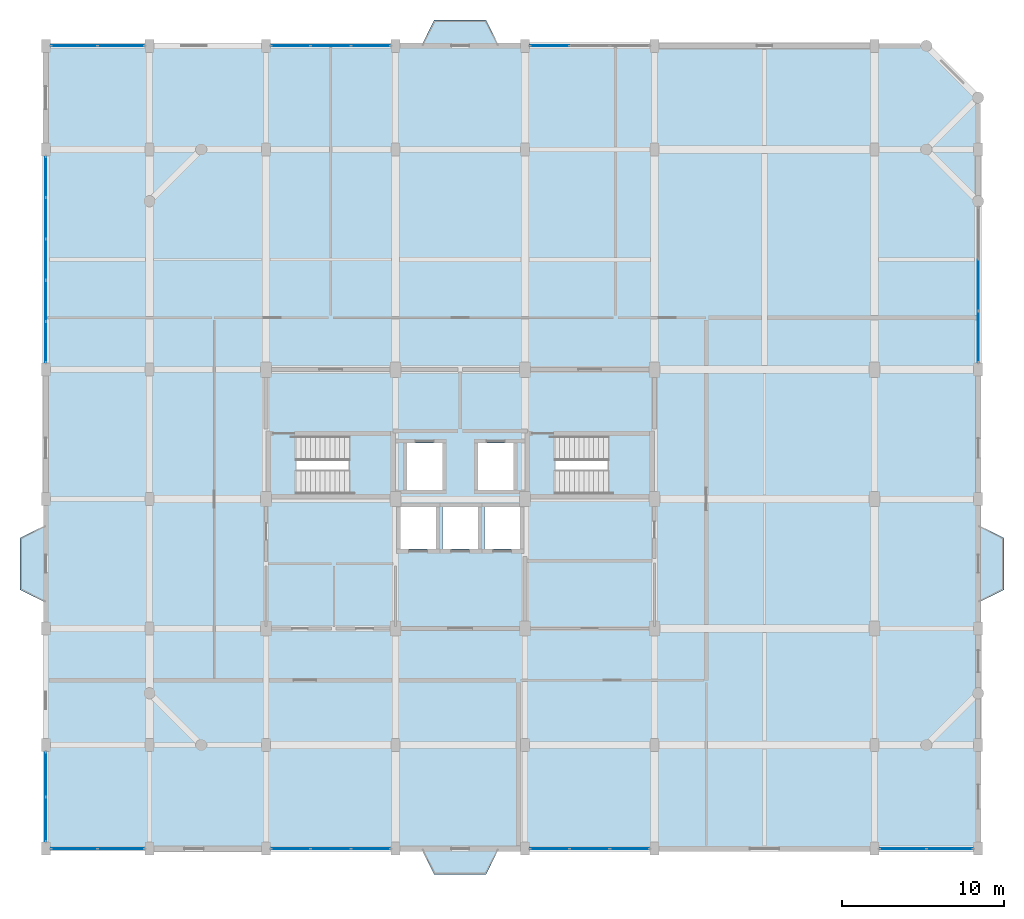
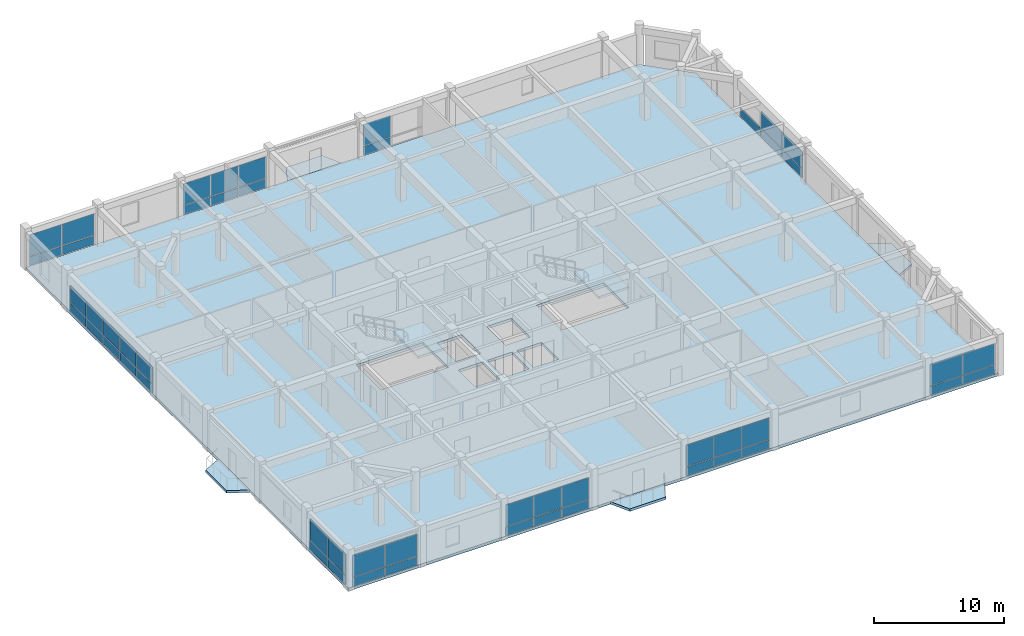
# One storey, part 10 of 15: 51 plates, 7 slabs, 12 elements without a shape of their own.
"""IFC4 building model written with IfcOpenShell, lengths in metres."""

from ifc_helpers import new_model, si_unit, direction, frame, origin, origin_2d, place, context, subcontext, project, spatial, polyline, rectangle, outline, extrude, material, layer, layer_set, type_object, element, aggregate, save


model = new_model("IFC4")

# Units and contexts
model_context = context("Model", 3, precision=1e-05, world=origin(), true_north=direction((0.0, 1.0)))
body_context = subcontext(model_context, "Body", "Model", "MODEL_VIEW")
ifc_project = project(units=[si_unit("LENGTHUNIT", "METRE"), si_unit("AREAUNIT", "SQUARE_METRE"), si_unit("VOLUMEUNIT", "CUBIC_METRE"), si_unit("PLANEANGLEUNIT", "RADIAN"), si_unit("MASSUNIT", "GRAM", prefix="KILO")], contexts=[model_context])

# Site, building, storey
site_placement = place(None, origin())
site = spatial("IfcSite", under=ifc_project, at=site_placement, CompositionType="ELEMENT")
building_placement = place(site_placement, origin())
building = spatial("IfcBuilding", under=site, at=building_placement, Name="Vellmiral Cinema and Media Centre", CompositionType="ELEMENT")
storey_placement = place(building_placement, frame((0.0, 0.0, 35.60009765625)))
storey = spatial("IfcBuildingStorey", under=building, at=storey_placement, Name="L08", CompositionType="ELEMENT", Elevation=35.60009765625)

# Curtain wall, plates
ifc_material_1 = material(Name="Thermally Broken Aluminium and Triple Glazing", Category="aluminium")
curtain_wall_type_1 = type_object("IfcCurtainWallType", Name="CW-TOWER-LOW-S", PredefinedType="USERDEFINED", material=ifc_material_1)
curtain_wall_1_placement = place(storey_placement, origin())
curtain_wall_1 = element("IfcCurtainWall", 1, at=curtain_wall_1_placement, inside=storey, type_object=curtain_wall_type_1, Name="Curtain Wall L08-B001", ObjectType="UNITISED CURTAIN WALL", PredefinedType="USERDEFINED")
ifc_material_2 = material(Name="Solar-Control Acoustic Triple Glazing", Category="glass")
ifc_layer_1 = layer(ifc_material_2, 0.0419921875, Name="Solar-Control Acoustic Triple Glazing")
ifc_layer_set_1 = layer_set([ifc_layer_1], Name="Solar-Control Acoustic Triple Glazing")
plate_type_1 = type_object("IfcPlateType", Name="CWP-SOLAR-42", PredefinedType="CURTAIN_PANEL", material=ifc_layer_set_1)
plate_1_placement = place(storey_placement, frame((112.15380859375, 65.60009765625, 0.932373046875), z_axis=(0.0, 0.0, 1.0), x_axis=(1.0, 0.0, 0.0)))
plate_1 = element("IfcPlate", 2, at=plate_1_placement, type_object=plate_type_1, Name="CW-06 panel 1.2", PredefinedType="CURTAIN_PANEL", context=body_context, shape_type="SweptSolid", body=[
    extrude(rectangle(XDim=2.827392578125, YDim=0.0419921875, at=origin_2d()), origin(), (0.0, 0.0, 1.0), 2.00244140625),
])
plate_2_placement = place(storey_placement, frame((115.046142578125, 65.60009765625, 0.932373046875), z_axis=(0.0, 0.0, 1.0), x_axis=(1.0, 0.0, 0.0)))
plate_2 = element("IfcPlate", 3, at=plate_2_placement, type_object=plate_type_1, Name="CW-06 panel 2.2", PredefinedType="CURTAIN_PANEL", context=body_context, shape_type="SweptSolid", body=[
    extrude(rectangle(XDim=2.827392578125, YDim=0.0419921875, at=origin_2d()), origin(), (0.0, 0.0, 1.0), 2.00244140625),
])

curtain_wall_2_placement = place(storey_placement, origin())
curtain_wall_2 = element("IfcCurtainWall", 4, at=curtain_wall_2_placement, inside=storey, type_object=curtain_wall_type_1, Name="Curtain Wall L08-B003", ObjectType="UNITISED CURTAIN WALL", PredefinedType="USERDEFINED")
plate_3_placement = place(storey_placement, frame((125.532958984375, 65.60009765625, 0.932373046875), z_axis=(0.0, 0.0, 1.0), x_axis=(1.0, 0.0, 0.0)))
plate_3 = element("IfcPlate", 5, at=plate_3_placement, type_object=plate_type_1, Name="CW-06 panel 1.2", PredefinedType="CURTAIN_PANEL", context=body_context, shape_type="SweptSolid", body=[
    extrude(rectangle(XDim=2.3857421875, YDim=0.0419921875, at=origin_2d()), origin(), (0.0, 0.0, 1.0), 2.00244140625),
])
plate_4_placement = place(storey_placement, frame((128.0, 65.60009765625, 0.932373046875), z_axis=(0.0, 0.0, 1.0), x_axis=(1.0, 0.0, 0.0)))
plate_4 = element("IfcPlate", 6, at=plate_4_placement, type_object=plate_type_1, Name="CW-06 panel 2.2", PredefinedType="CURTAIN_PANEL", context=body_context, shape_type="SweptSolid", body=[
    extrude(rectangle(XDim=2.418212890625, YDim=0.0419921875, at=origin_2d()), origin(), (0.0, 0.0, 1.0), 2.00244140625),
])
plate_5_placement = place(storey_placement, frame((130.467041015625, 65.60009765625, 0.932373046875), z_axis=(0.0, 0.0, 1.0), x_axis=(1.0, 0.0, 0.0)))
plate_5 = element("IfcPlate", 7, at=plate_5_placement, type_object=plate_type_1, Name="CW-06 panel 3.2", PredefinedType="CURTAIN_PANEL", context=body_context, shape_type="SweptSolid", body=[
    extrude(rectangle(XDim=2.3857421875, YDim=0.0419921875, at=origin_2d()), origin(), (0.0, 0.0, 1.0), 2.00244140625),
])

curtain_wall_3_placement = place(storey_placement, origin())
curtain_wall_3 = element("IfcCurtainWall", 8, at=curtain_wall_3_placement, inside=storey, type_object=curtain_wall_type_1, Name="Curtain Wall L08-B005", ObjectType="UNITISED CURTAIN WALL", PredefinedType="USERDEFINED")
plate_6_placement = place(storey_placement, frame((141.532958984375, 65.60009765625, 0.932373046875), z_axis=(0.0, 0.0, 1.0), x_axis=(1.0, 0.0, 0.0)))
plate_6 = element("IfcPlate", 9, at=plate_6_placement, type_object=plate_type_1, Name="CW-06 panel 1.2", PredefinedType="CURTAIN_PANEL", context=body_context, shape_type="SweptSolid", body=[
    extrude(rectangle(XDim=2.3857421875, YDim=0.0419921875, at=origin_2d()), origin(), (0.0, 0.0, 1.0), 2.00244140625),
])
plate_7_placement = place(storey_placement, frame((144.0, 65.60009765625, 0.932373046875), z_axis=(0.0, 0.0, 1.0), x_axis=(1.0, 0.0, 0.0)))
plate_7 = element("IfcPlate", 10, at=plate_7_placement, type_object=plate_type_1, Name="CW-06 panel 2.2", PredefinedType="CURTAIN_PANEL", context=body_context, shape_type="SweptSolid", body=[
    extrude(rectangle(XDim=2.418212890625, YDim=0.0419921875, at=origin_2d()), origin(), (0.0, 0.0, 1.0), 2.00244140625),
])
plate_8_placement = place(storey_placement, frame((146.467041015625, 65.60009765625, 0.932373046875), z_axis=(0.0, 0.0, 1.0), x_axis=(1.0, 0.0, 0.0)))
plate_8 = element("IfcPlate", 11, at=plate_8_placement, type_object=plate_type_1, Name="CW-06 panel 3.2", PredefinedType="CURTAIN_PANEL", context=body_context, shape_type="SweptSolid", body=[
    extrude(rectangle(XDim=2.3857421875, YDim=0.0419921875, at=origin_2d()), origin(), (0.0, 0.0, 1.0), 2.00244140625),
])

curtain_wall_4_placement = place(storey_placement, origin())
curtain_wall_4 = element("IfcCurtainWall", 12, at=curtain_wall_4_placement, inside=storey, type_object=curtain_wall_type_1, Name="Curtain Wall L08-B007", ObjectType="UNITISED CURTAIN WALL", PredefinedType="USERDEFINED")
plate_9_placement = place(storey_placement, frame((163.353759765625, 65.60009765625, 0.9326171875), z_axis=(0.0, 0.0, 1.0), x_axis=(1.0, 0.0, 0.0)))
plate_9 = element("IfcPlate", 13, at=plate_9_placement, type_object=plate_type_1, Name="CW-06 panel 1.2", PredefinedType="CURTAIN_PANEL", context=body_context, shape_type="SweptSolid", body=[
    extrude(rectangle(XDim=2.827392578125, YDim=0.0419921875, at=origin_2d()), origin(), (0.0, 0.0, 1.0), 1.987548828125),
])
plate_10_placement = place(storey_placement, frame((166.246337890625, 65.60009765625, 0.9326171875), z_axis=(0.0, 0.0, 1.0), x_axis=(1.0, 0.0, 0.0)))
plate_10 = element("IfcPlate", 14, at=plate_10_placement, type_object=plate_type_1, Name="CW-06 panel 2.2", PredefinedType="CURTAIN_PANEL", context=body_context, shape_type="SweptSolid", body=[
    extrude(rectangle(XDim=2.827392578125, YDim=0.0419921875, at=origin_2d()), origin(), (0.0, 0.0, 1.0), 1.987548828125),
])

curtain_wall_5_placement = place(storey_placement, origin())
curtain_wall_5 = element("IfcCurtainWall", 15, at=curtain_wall_5_placement, inside=storey, type_object=curtain_wall_type_1, Name="Curtain Wall L08-B013", ObjectType="UNITISED CURTAIN WALL", PredefinedType="USERDEFINED")
plate_11_placement = place(storey_placement, frame((168.0, 97.224609375, 0.932373046875), z_axis=(0.0, 0.0, 1.0), x_axis=(0.0, 1.0, 0.0)))
plate_11 = element("IfcPlate", 16, at=plate_11_placement, type_object=plate_type_1, Name="CW-06 panel 1.2", PredefinedType="CURTAIN_PANEL", context=body_context, shape_type="SweptSolid", body=[
    extrude(rectangle(XDim=3.119140625, YDim=0.0419921875, at=origin_2d()), origin(), (0.0, 0.0, 1.0), 1.58740234375),
])
plate_12_placement = place(storey_placement, frame((168.0, 100.425048828125, 0.932373046875), z_axis=(0.0, 0.0, 1.0), x_axis=(0.0, 1.0, 0.0)))
plate_12 = element("IfcPlate", 17, at=plate_12_placement, type_object=plate_type_1, Name="CW-06 panel 2.2", PredefinedType="CURTAIN_PANEL", context=body_context, shape_type="SweptSolid", body=[
    extrude(rectangle(XDim=3.151611328125, YDim=0.0419921875, at=origin_2d()), origin(), (0.0, 0.0, 1.0), 1.58740234375),
])

# Curtain wall, plate
curtain_wall_6_placement = place(storey_placement, origin())
curtain_wall_6 = element("IfcCurtainWall", 18, at=curtain_wall_6_placement, inside=storey, type_object=curtain_wall_type_1, Name="Curtain Wall L08-B019", ObjectType="UNITISED CURTAIN WALL", PredefinedType="USERDEFINED")
plate_13_placement = place(storey_placement, frame((141.532958984375, 115.199951171875, 0.9326171875), z_axis=(0.0, 0.0, 1.0), x_axis=(-1.0, 0.0, 0.0)))
plate_13 = element("IfcPlate", 19, at=plate_13_placement, type_object=plate_type_1, Name="CW-06 panel 3.2", PredefinedType="CURTAIN_PANEL", context=body_context, shape_type="SweptSolid", body=[
    extrude(rectangle(XDim=2.3857421875, YDim=0.0419921875, at=origin_2d()), origin(), (0.0, 0.0, 1.0), 1.987548828125),
])

# Curtain wall, plates
curtain_wall_7_placement = place(storey_placement, origin())
curtain_wall_7 = element("IfcCurtainWall", 20, at=curtain_wall_7_placement, inside=storey, type_object=curtain_wall_type_1, Name="Curtain Wall L08-B021", ObjectType="UNITISED CURTAIN WALL", PredefinedType="USERDEFINED")
plate_14_placement = place(storey_placement, frame((130.467041015625, 115.199951171875, 0.932373046875), z_axis=(0.0, 0.0, 1.0), x_axis=(-1.0, 0.0, 0.0)))
plate_14 = element("IfcPlate", 21, at=plate_14_placement, type_object=plate_type_1, Name="CW-06 panel 1.2", PredefinedType="CURTAIN_PANEL", context=body_context, shape_type="SweptSolid", body=[
    extrude(rectangle(XDim=2.3857421875, YDim=0.0419921875, at=origin_2d()), origin(), (0.0, 0.0, 1.0), 2.00244140625),
])
plate_15_placement = place(storey_placement, frame((128.0, 115.199951171875, 0.932373046875), z_axis=(0.0, 0.0, 1.0), x_axis=(-1.0, 0.0, 0.0)))
plate_15 = element("IfcPlate", 22, at=plate_15_placement, type_object=plate_type_1, Name="CW-06 panel 2.2", PredefinedType="CURTAIN_PANEL", context=body_context, shape_type="SweptSolid", body=[
    extrude(rectangle(XDim=2.418212890625, YDim=0.0419921875, at=origin_2d()), origin(), (0.0, 0.0, 1.0), 2.00244140625),
])
plate_16_placement = place(storey_placement, frame((125.532958984375, 115.199951171875, 0.932373046875), z_axis=(0.0, 0.0, 1.0), x_axis=(-1.0, 0.0, 0.0)))
plate_16 = element("IfcPlate", 23, at=plate_16_placement, type_object=plate_type_1, Name="CW-06 panel 3.2", PredefinedType="CURTAIN_PANEL", context=body_context, shape_type="SweptSolid", body=[
    extrude(rectangle(XDim=2.3857421875, YDim=0.0419921875, at=origin_2d()), origin(), (0.0, 0.0, 1.0), 2.00244140625),
])

curtain_wall_8_placement = place(storey_placement, origin())
curtain_wall_8 = element("IfcCurtainWall", 24, at=curtain_wall_8_placement, inside=storey, type_object=curtain_wall_type_1, Name="Curtain Wall L08-B023", ObjectType="UNITISED CURTAIN WALL", PredefinedType="USERDEFINED")
plate_17_placement = place(storey_placement, frame((115.046142578125, 115.199951171875, 0.932373046875), z_axis=(0.0, 0.0, 1.0), x_axis=(-1.0, 0.0, 0.0)))
plate_17 = element("IfcPlate", 25, at=plate_17_placement, type_object=plate_type_1, Name="CW-06 panel 1.2", PredefinedType="CURTAIN_PANEL", context=body_context, shape_type="SweptSolid", body=[
    extrude(rectangle(XDim=2.827392578125, YDim=0.0419921875, at=origin_2d()), origin(), (0.0, 0.0, 1.0), 2.00244140625),
])
plate_18_placement = place(storey_placement, frame((112.15380859375, 115.199951171875, 0.932373046875), z_axis=(0.0, 0.0, 1.0), x_axis=(-1.0, 0.0, 0.0)))
plate_18 = element("IfcPlate", 26, at=plate_18_placement, type_object=plate_type_1, Name="CW-06 panel 2.2", PredefinedType="CURTAIN_PANEL", context=body_context, shape_type="SweptSolid", body=[
    extrude(rectangle(XDim=2.827392578125, YDim=0.0419921875, at=origin_2d()), origin(), (0.0, 0.0, 1.0), 2.00244140625),
])

# Plate
ifc_material_3 = material(Name="Polychrome Trencadis Ceramic Spandrel Panel", Category="ceramic")
ifc_layer_2 = layer(ifc_material_3, 0.052001953125, Name="Polychrome Trencadis Ceramic Spandrel Panel")
ifc_layer_set_2 = layer_set([ifc_layer_2], Name="Polychrome Trencadis Ceramic Spandrel Panel")
plate_type_2 = type_object("IfcPlateType", Name="CWP-TRENC-52", PredefinedType="CURTAIN_PANEL", material=ifc_layer_set_2)
plate_19_placement = place(storey_placement, frame((112.15380859375, 65.60009765625, 0.06494140625), z_axis=(0.0, 0.0, 1.0), x_axis=(1.0, 0.0, 0.0)))
plate_19 = element("IfcPlate", 27, at=plate_19_placement, type_object=plate_type_2, Name="CW-06 panel 1.1", PredefinedType="CURTAIN_PANEL", context=body_context, shape_type="SweptSolid", body=[
    extrude(rectangle(XDim=2.827392578125, YDim=0.052001953125, at=origin_2d()), origin(), (0.0, 0.0, 1.0), 0.802490234375),
])

plate_20_placement = place(storey_placement, frame((115.046142578125, 65.60009765625, 0.06494140625), z_axis=(0.0, 0.0, 1.0), x_axis=(1.0, 0.0, 0.0)))
plate_20 = element("IfcPlate", 28, at=plate_20_placement, type_object=plate_type_2, Name="CW-06 panel 2.1", PredefinedType="CURTAIN_PANEL", context=body_context, shape_type="SweptSolid", body=[
    extrude(rectangle(XDim=2.827392578125, YDim=0.052001953125, at=origin_2d()), origin(), (0.0, 0.0, 1.0), 0.802490234375),
])

aggregate(curtain_wall_1, [plate_19, plate_1, plate_20, plate_2])

plate_21_placement = place(storey_placement, frame((125.532958984375, 65.60009765625, 0.06494140625), z_axis=(0.0, 0.0, 1.0), x_axis=(1.0, 0.0, 0.0)))
plate_21 = element("IfcPlate", 29, at=plate_21_placement, type_object=plate_type_2, Name="CW-06 panel 1.1", PredefinedType="CURTAIN_PANEL", context=body_context, shape_type="SweptSolid", body=[
    extrude(rectangle(XDim=2.3857421875, YDim=0.052001953125, at=origin_2d()), origin(), (0.0, 0.0, 1.0), 0.802490234375),
])

plate_22_placement = place(storey_placement, frame((128.0, 65.60009765625, 0.06494140625), z_axis=(0.0, 0.0, 1.0), x_axis=(1.0, 0.0, 0.0)))
plate_22 = element("IfcPlate", 30, at=plate_22_placement, type_object=plate_type_2, Name="CW-06 panel 2.1", PredefinedType="CURTAIN_PANEL", context=body_context, shape_type="SweptSolid", body=[
    extrude(rectangle(XDim=2.418212890625, YDim=0.052001953125, at=origin_2d()), origin(), (0.0, 0.0, 1.0), 0.802490234375),
])

plate_23_placement = place(storey_placement, frame((130.467041015625, 65.60009765625, 0.06494140625), z_axis=(0.0, 0.0, 1.0), x_axis=(1.0, 0.0, 0.0)))
plate_23 = element("IfcPlate", 31, at=plate_23_placement, type_object=plate_type_2, Name="CW-06 panel 3.1", PredefinedType="CURTAIN_PANEL", context=body_context, shape_type="SweptSolid", body=[
    extrude(rectangle(XDim=2.3857421875, YDim=0.052001953125, at=origin_2d()), origin(), (0.0, 0.0, 1.0), 0.802490234375),
])

aggregate(curtain_wall_2, [plate_21, plate_3, plate_22, plate_4, plate_23, plate_5])

plate_24_placement = place(storey_placement, frame((141.532958984375, 65.60009765625, 0.06494140625), z_axis=(0.0, 0.0, 1.0), x_axis=(1.0, 0.0, 0.0)))
plate_24 = element("IfcPlate", 32, at=plate_24_placement, type_object=plate_type_2, Name="CW-06 panel 1.1", PredefinedType="CURTAIN_PANEL", context=body_context, shape_type="SweptSolid", body=[
    extrude(rectangle(XDim=2.3857421875, YDim=0.052001953125, at=origin_2d()), origin(), (0.0, 0.0, 1.0), 0.802490234375),
])

plate_25_placement = place(storey_placement, frame((144.0, 65.60009765625, 0.06494140625), z_axis=(0.0, 0.0, 1.0), x_axis=(1.0, 0.0, 0.0)))
plate_25 = element("IfcPlate", 33, at=plate_25_placement, type_object=plate_type_2, Name="CW-06 panel 2.1", PredefinedType="CURTAIN_PANEL", context=body_context, shape_type="SweptSolid", body=[
    extrude(rectangle(XDim=2.418212890625, YDim=0.052001953125, at=origin_2d()), origin(), (0.0, 0.0, 1.0), 0.802490234375),
])

plate_26_placement = place(storey_placement, frame((146.467041015625, 65.60009765625, 0.06494140625), z_axis=(0.0, 0.0, 1.0), x_axis=(1.0, 0.0, 0.0)))
plate_26 = element("IfcPlate", 34, at=plate_26_placement, type_object=plate_type_2, Name="CW-06 panel 3.1", PredefinedType="CURTAIN_PANEL", context=body_context, shape_type="SweptSolid", body=[
    extrude(rectangle(XDim=2.3857421875, YDim=0.052001953125, at=origin_2d()), origin(), (0.0, 0.0, 1.0), 0.802490234375),
])

aggregate(curtain_wall_3, [plate_24, plate_6, plate_25, plate_7, plate_26, plate_8])

plate_27_placement = place(storey_placement, frame((163.353759765625, 65.60009765625, 0.06494140625), z_axis=(0.0, 0.0, 1.0), x_axis=(1.0, 0.0, 0.0)))
plate_27 = element("IfcPlate", 35, at=plate_27_placement, type_object=plate_type_2, Name="CW-06 panel 1.1", PredefinedType="CURTAIN_PANEL", context=body_context, shape_type="SweptSolid", body=[
    extrude(rectangle(XDim=2.827392578125, YDim=0.052001953125, at=origin_2d()), origin(), (0.0, 0.0, 1.0), 0.802490234375),
])

plate_28_placement = place(storey_placement, frame((166.246337890625, 65.60009765625, 0.06494140625), z_axis=(0.0, 0.0, 1.0), x_axis=(1.0, 0.0, 0.0)))
plate_28 = element("IfcPlate", 36, at=plate_28_placement, type_object=plate_type_2, Name="CW-06 panel 2.1", PredefinedType="CURTAIN_PANEL", context=body_context, shape_type="SweptSolid", body=[
    extrude(rectangle(XDim=2.827392578125, YDim=0.052001953125, at=origin_2d()), origin(), (0.0, 0.0, 1.0), 0.802490234375),
])

aggregate(curtain_wall_4, [plate_27, plate_9, plate_28, plate_10])

plate_29_placement = place(storey_placement, frame((168.0, 97.224609375, 0.06494140625), z_axis=(0.0, 0.0, 1.0), x_axis=(0.0, 1.0, 0.0)))
plate_29 = element("IfcPlate", 37, at=plate_29_placement, type_object=plate_type_2, Name="CW-06 panel 1.1", PredefinedType="CURTAIN_PANEL", context=body_context, shape_type="SweptSolid", body=[
    extrude(rectangle(XDim=3.119140625, YDim=0.052001953125, at=origin_2d()), origin(), (0.0, 0.0, 1.0), 0.802490234375),
])

plate_30_placement = place(storey_placement, frame((168.0, 100.425048828125, 0.06494140625), z_axis=(0.0, 0.0, 1.0), x_axis=(0.0, 1.0, 0.0)))
plate_30 = element("IfcPlate", 38, at=plate_30_placement, type_object=plate_type_2, Name="CW-06 panel 2.1", PredefinedType="CURTAIN_PANEL", context=body_context, shape_type="SweptSolid", body=[
    extrude(rectangle(XDim=3.151611328125, YDim=0.052001953125, at=origin_2d()), origin(), (0.0, 0.0, 1.0), 0.802490234375),
])

plate_31_placement = place(storey_placement, frame((168.0, 103.62548828125, 0.06494140625), z_axis=(0.0, 0.0, 1.0), x_axis=(0.0, 1.0, 0.0)))
plate_31 = element("IfcPlate", 39, at=plate_31_placement, type_object=plate_type_2, Name="CW-06 panel 3.1", PredefinedType="CURTAIN_PANEL", context=body_context, shape_type="SweptSolid", body=[
    extrude(rectangle(XDim=3.119140625, YDim=0.052001953125, at=origin_2d()), origin(), (0.0, 0.0, 1.0), 0.802490234375),
])

aggregate(curtain_wall_5, [plate_29, plate_11, plate_30, plate_12, plate_31])

plate_32_placement = place(storey_placement, frame((141.532958984375, 115.199951171875, 0.06494140625), z_axis=(0.0, 0.0, 1.0), x_axis=(-1.0, 0.0, 0.0)))
plate_32 = element("IfcPlate", 40, at=plate_32_placement, type_object=plate_type_2, Name="CW-06 panel 3.1", PredefinedType="CURTAIN_PANEL", context=body_context, shape_type="SweptSolid", body=[
    extrude(rectangle(XDim=2.3857421875, YDim=0.052001953125, at=origin_2d()), origin(), (0.0, 0.0, 1.0), 0.802490234375),
])

aggregate(curtain_wall_6, [plate_32, plate_13])

plate_33_placement = place(storey_placement, frame((130.467041015625, 115.199951171875, 0.06494140625), z_axis=(0.0, 0.0, 1.0), x_axis=(-1.0, 0.0, 0.0)))
plate_33 = element("IfcPlate", 41, at=plate_33_placement, type_object=plate_type_2, Name="CW-06 panel 1.1", PredefinedType="CURTAIN_PANEL", context=body_context, shape_type="SweptSolid", body=[
    extrude(rectangle(XDim=2.3857421875, YDim=0.052001953125, at=origin_2d()), origin(), (0.0, 0.0, 1.0), 0.802490234375),
])

plate_34_placement = place(storey_placement, frame((128.0, 115.199951171875, 0.06494140625), z_axis=(0.0, 0.0, 1.0), x_axis=(-1.0, 0.0, 0.0)))
plate_34 = element("IfcPlate", 42, at=plate_34_placement, type_object=plate_type_2, Name="CW-06 panel 2.1", PredefinedType="CURTAIN_PANEL", context=body_context, shape_type="SweptSolid", body=[
    extrude(rectangle(XDim=2.418212890625, YDim=0.052001953125, at=origin_2d()), origin(), (0.0, 0.0, 1.0), 0.802490234375),
])

plate_35_placement = place(storey_placement, frame((125.532958984375, 115.199951171875, 0.06494140625), z_axis=(0.0, 0.0, 1.0), x_axis=(-1.0, 0.0, 0.0)))
plate_35 = element("IfcPlate", 43, at=plate_35_placement, type_object=plate_type_2, Name="CW-06 panel 3.1", PredefinedType="CURTAIN_PANEL", context=body_context, shape_type="SweptSolid", body=[
    extrude(rectangle(XDim=2.3857421875, YDim=0.052001953125, at=origin_2d()), origin(), (0.0, 0.0, 1.0), 0.802490234375),
])

aggregate(curtain_wall_7, [plate_33, plate_14, plate_34, plate_15, plate_35, plate_16])

plate_36_placement = place(storey_placement, frame((115.046142578125, 115.199951171875, 0.06494140625), z_axis=(0.0, 0.0, 1.0), x_axis=(-1.0, 0.0, 0.0)))
plate_36 = element("IfcPlate", 44, at=plate_36_placement, type_object=plate_type_2, Name="CW-06 panel 1.1", PredefinedType="CURTAIN_PANEL", context=body_context, shape_type="SweptSolid", body=[
    extrude(rectangle(XDim=2.827392578125, YDim=0.052001953125, at=origin_2d()), origin(), (0.0, 0.0, 1.0), 0.802490234375),
])

plate_37_placement = place(storey_placement, frame((112.15380859375, 115.199951171875, 0.06494140625), z_axis=(0.0, 0.0, 1.0), x_axis=(-1.0, 0.0, 0.0)))
plate_37 = element("IfcPlate", 45, at=plate_37_placement, type_object=plate_type_2, Name="CW-06 panel 2.1", PredefinedType="CURTAIN_PANEL", context=body_context, shape_type="SweptSolid", body=[
    extrude(rectangle(XDim=2.827392578125, YDim=0.052001953125, at=origin_2d()), origin(), (0.0, 0.0, 1.0), 0.802490234375),
])

aggregate(curtain_wall_8, [plate_36, plate_17, plate_37, plate_18])

# Curtain wall, plates
ifc_material_4 = material(Name="Thermally Broken Aluminium and Triple Glazing", Category="aluminium")
curtain_wall_type_2 = type_object("IfcCurtainWallType", Name="CW-TOWER-LOW-N", PredefinedType="USERDEFINED", material=ifc_material_4)
curtain_wall_9_placement = place(storey_placement, origin())
curtain_wall_9 = element("IfcCurtainWall", 46, at=curtain_wall_9_placement, inside=storey, type_object=curtain_wall_type_2, Name="Curtain Wall L08-B025", ObjectType="UNITISED CURTAIN WALL", PredefinedType="USERDEFINED")
plate_38_placement = place(storey_placement, frame((110.39990234375, 107.103759765625, 0.06494140625), z_axis=(0.0, 0.0, 1.0), x_axis=(0.0, -1.0, 0.0)))
plate_38 = element("IfcPlate", 47, at=plate_38_placement, type_object=plate_type_2, Name="CW-05 panel 1.1", PredefinedType="CURTAIN_PANEL", context=body_context, shape_type="SweptSolid", body=[
    extrude(rectangle(XDim=2.46240234375, YDim=0.052001953125, at=origin_2d()), origin(), (0.0, 0.0, 1.0), 0.802490234375),
])
plate_39_placement = place(storey_placement, frame((110.39990234375, 104.56005859375, 0.06494140625), z_axis=(0.0, 0.0, 1.0), x_axis=(0.0, -1.0, 0.0)))
plate_39 = element("IfcPlate", 48, at=plate_39_placement, type_object=plate_type_2, Name="CW-05 panel 2.1", PredefinedType="CURTAIN_PANEL", context=body_context, shape_type="SweptSolid", body=[
    extrude(rectangle(XDim=2.4951171875, YDim=0.052001953125, at=origin_2d()), origin(), (0.0, 0.0, 1.0), 0.802490234375),
])
plate_40_placement = place(storey_placement, frame((110.39990234375, 102.0, 0.06494140625), z_axis=(0.0, 0.0, 1.0), x_axis=(0.0, -1.0, 0.0)))
plate_40 = element("IfcPlate", 49, at=plate_40_placement, type_object=plate_type_2, Name="CW-05 panel 3.1", PredefinedType="CURTAIN_PANEL", context=body_context, shape_type="SweptSolid", body=[
    extrude(rectangle(XDim=2.4951171875, YDim=0.052001953125, at=origin_2d()), origin(), (0.0, 0.0, 1.0), 0.802490234375),
])
plate_41_placement = place(storey_placement, frame((110.39990234375, 99.43994140625, 0.06494140625), z_axis=(0.0, 0.0, 1.0), x_axis=(0.0, -1.0, 0.0)))
plate_41 = element("IfcPlate", 50, at=plate_41_placement, type_object=plate_type_2, Name="CW-05 panel 4.1", PredefinedType="CURTAIN_PANEL", context=body_context, shape_type="SweptSolid", body=[
    extrude(rectangle(XDim=2.4951171875, YDim=0.052001953125, at=origin_2d()), origin(), (0.0, 0.0, 1.0), 0.802490234375),
])
plate_42_placement = place(storey_placement, frame((110.39990234375, 96.896240234375, 0.06494140625), z_axis=(0.0, 0.0, 1.0), x_axis=(0.0, -1.0, 0.0)))
plate_42 = element("IfcPlate", 51, at=plate_42_placement, type_object=plate_type_2, Name="CW-05 panel 5.1", PredefinedType="CURTAIN_PANEL", context=body_context, shape_type="SweptSolid", body=[
    extrude(rectangle(XDim=2.46240234375, YDim=0.052001953125, at=origin_2d()), origin(), (0.0, 0.0, 1.0), 0.802490234375),
])

curtain_wall_10_placement = place(storey_placement, origin())
curtain_wall_10 = element("IfcCurtainWall", 52, at=curtain_wall_10_placement, inside=storey, type_object=curtain_wall_type_2, Name="Curtain Wall L08-B029", ObjectType="UNITISED CURTAIN WALL", PredefinedType="USERDEFINED")
plate_43_placement = place(storey_placement, frame((110.39990234375, 70.183837890625, 0.06494140625), z_axis=(0.0, 0.0, 1.0), x_axis=(0.0, -1.0, 0.0)))
plate_43 = element("IfcPlate", 53, at=plate_43_placement, type_object=plate_type_2, Name="CW-05 panel 1.1", PredefinedType="CURTAIN_PANEL", context=body_context, shape_type="SweptSolid", body=[
    extrude(rectangle(XDim=2.702392578125, YDim=0.052001953125, at=origin_2d()), origin(), (0.0, 0.0, 1.0), 0.802490234375),
])
plate_44_placement = place(storey_placement, frame((110.39990234375, 67.416259765625, 0.06494140625), z_axis=(0.0, 0.0, 1.0), x_axis=(0.0, -1.0, 0.0)))
plate_44 = element("IfcPlate", 54, at=plate_44_placement, type_object=plate_type_2, Name="CW-05 panel 2.1", PredefinedType="CURTAIN_PANEL", context=body_context, shape_type="SweptSolid", body=[
    extrude(rectangle(XDim=2.702392578125, YDim=0.052001953125, at=origin_2d()), origin(), (0.0, 0.0, 1.0), 0.802490234375),
])

# Plate
ifc_material_5 = material(Name="Triple Low-E Vision Glazing", Category="glass")
ifc_layer_3 = layer(ifc_material_5, 0.0380859375, Name="Triple Low-E Vision Glazing")
ifc_layer_set_3 = layer_set([ifc_layer_3], Name="Triple Low-E Vision Glazing")
plate_type_3 = type_object("IfcPlateType", Name="CWP-VISION-38", PredefinedType="CURTAIN_PANEL", material=ifc_layer_set_3)
plate_45_placement = place(storey_placement, frame((110.39990234375, 107.103759765625, 0.932373046875), z_axis=(0.0, 0.0, 1.0), x_axis=(0.0, -1.0, 0.0)))
plate_45 = element("IfcPlate", 55, at=plate_45_placement, type_object=plate_type_3, Name="CW-05 panel 1.2", PredefinedType="CURTAIN_PANEL", context=body_context, shape_type="SweptSolid", body=[
    extrude(rectangle(XDim=2.46240234375, YDim=0.0380859375, at=origin_2d()), origin(), (0.0, 0.0, 1.0), 1.53759765625),
])

plate_46_placement = place(storey_placement, frame((110.39990234375, 104.56005859375, 0.932373046875), z_axis=(0.0, 0.0, 1.0), x_axis=(0.0, -1.0, 0.0)))
plate_46 = element("IfcPlate", 56, at=plate_46_placement, type_object=plate_type_3, Name="CW-05 panel 2.2", PredefinedType="CURTAIN_PANEL", context=body_context, shape_type="SweptSolid", body=[
    extrude(rectangle(XDim=2.4951171875, YDim=0.0380859375, at=origin_2d()), origin(), (0.0, 0.0, 1.0), 1.53759765625),
])

plate_47_placement = place(storey_placement, frame((110.39990234375, 102.0, 0.932373046875), z_axis=(0.0, 0.0, 1.0), x_axis=(0.0, -1.0, 0.0)))
plate_47 = element("IfcPlate", 57, at=plate_47_placement, type_object=plate_type_3, Name="CW-05 panel 3.2", PredefinedType="CURTAIN_PANEL", context=body_context, shape_type="SweptSolid", body=[
    extrude(rectangle(XDim=2.4951171875, YDim=0.0380859375, at=origin_2d()), origin(), (0.0, 0.0, 1.0), 1.53759765625),
])

plate_48_placement = place(storey_placement, frame((110.39990234375, 99.43994140625, 0.932373046875), z_axis=(0.0, 0.0, 1.0), x_axis=(0.0, -1.0, 0.0)))
plate_48 = element("IfcPlate", 58, at=plate_48_placement, type_object=plate_type_3, Name="CW-05 panel 4.2", PredefinedType="CURTAIN_PANEL", context=body_context, shape_type="SweptSolid", body=[
    extrude(rectangle(XDim=2.4951171875, YDim=0.0380859375, at=origin_2d()), origin(), (0.0, 0.0, 1.0), 1.53759765625),
])

plate_49_placement = place(storey_placement, frame((110.39990234375, 96.896240234375, 0.932373046875), z_axis=(0.0, 0.0, 1.0), x_axis=(0.0, -1.0, 0.0)))
plate_49 = element("IfcPlate", 59, at=plate_49_placement, type_object=plate_type_3, Name="CW-05 panel 5.2", PredefinedType="CURTAIN_PANEL", context=body_context, shape_type="SweptSolid", body=[
    extrude(rectangle(XDim=2.46240234375, YDim=0.0380859375, at=origin_2d()), origin(), (0.0, 0.0, 1.0), 1.53759765625),
])

aggregate(curtain_wall_9, [plate_38, plate_45, plate_39, plate_46, plate_40, plate_47, plate_41, plate_48, plate_42, plate_49])

plate_50_placement = place(storey_placement, frame((110.39990234375, 70.183837890625, 0.932373046875), z_axis=(0.0, 0.0, 1.0), x_axis=(0.0, -1.0, 0.0)))
plate_50 = element("IfcPlate", 60, at=plate_50_placement, type_object=plate_type_3, Name="CW-05 panel 1.2", PredefinedType="CURTAIN_PANEL", context=body_context, shape_type="SweptSolid", body=[
    extrude(rectangle(XDim=2.702392578125, YDim=0.0380859375, at=origin_2d()), origin(), (0.0, 0.0, 1.0), 2.00244140625),
])

plate_51_placement = place(storey_placement, frame((110.39990234375, 67.416259765625, 0.932373046875), z_axis=(0.0, 0.0, 1.0), x_axis=(0.0, -1.0, 0.0)))
plate_51 = element("IfcPlate", 61, at=plate_51_placement, type_object=plate_type_3, Name="CW-05 panel 2.2", PredefinedType="CURTAIN_PANEL", context=body_context, shape_type="SweptSolid", body=[
    extrude(rectangle(XDim=2.702392578125, YDim=0.0380859375, at=origin_2d()), origin(), (0.0, 0.0, 1.0), 2.00244140625),
])

aggregate(curtain_wall_10, [plate_43, plate_50, plate_44, plate_51])

# Slab
ifc_material_6 = material(Name="Concrete C40/50", Category="concrete")
ifc_layer_4 = layer(ifc_material_6, 0.260009765625, Name="Concrete C40/50")
ifc_layer_set_4 = layer_set([ifc_layer_4], Name="Concrete C40/50")
slab_type_1 = type_object("IfcSlabType", Name="SLB-FLR-260", PredefinedType="FLOOR", material=ifc_layer_set_4)
slab_1_placement = place(storey_placement, frame((0.0, 0.0, -0.260009765625)))
element("IfcSlab", 62, at=slab_1_placement, inside=storey, type_object=slab_type_1, Name="L08 Structural Slab", PredefinedType="FLOOR", context=body_context, shape_type="SweptSolid", body=[
    extrude(outline(polyline([(110.39990234375, 65.60009765625), (168.0, 65.60009765625), (168.0, 112.0), (164.800048828125, 115.199951171875), (110.39990234375, 115.199951171875), (110.39990234375, 65.60009765625)]), holes=[polyline([(125.85009765625, 87.3798828125), (131.820068359375, 87.3798828125), (131.820068359375, 91.219970703125), (125.85009765625, 91.219970703125), (125.85009765625, 87.3798828125)]), polyline([(141.85009765625, 87.3798828125), (147.820068359375, 87.3798828125), (147.820068359375, 91.219970703125), (141.85009765625, 91.219970703125), (141.85009765625, 87.3798828125)]), polyline([(132.699951171875, 87.75), (134.89990234375, 87.75), (134.89990234375, 90.64990234375), (132.699951171875, 90.64990234375), (132.699951171875, 87.75)]), polyline([(137.10009765625, 87.75), (139.300048828125, 87.75), (139.300048828125, 90.64990234375), (137.10009765625, 90.64990234375), (137.10009765625, 87.75)]), polyline([(132.300048828125, 84.10009765625), (134.5, 84.10009765625), (134.5, 86.699951171875), (132.300048828125, 86.699951171875), (132.300048828125, 84.10009765625)]), polyline([(134.89990234375, 84.10009765625), (137.10009765625, 84.10009765625), (137.10009765625, 86.699951171875), (134.89990234375, 86.699951171875), (134.89990234375, 84.10009765625)]), polyline([(137.5, 84.10009765625), (139.699951171875, 84.10009765625), (139.699951171875, 86.699951171875), (137.5, 86.699951171875), (137.5, 84.10009765625)])]), origin(), (0.0, 0.0, 1.0), 0.260009765625),
])

# Stair, slab
ifc_material_7 = material(Name="Concrete C40/50", Category="concrete")
stair_type = type_object("IfcStairType", Name="ST-2RET-390", PredefinedType="HALF_TURN_STAIR", material=ifc_material_7)
stair_1_placement = place(storey_placement, origin())
stair_1 = element("IfcStair", 63, at=stair_1_placement, inside=storey, type_object=stair_type, Name="Protected Escape Stair ST-T1 (L08)", PredefinedType="HALF_TURN_STAIR")
ifc_material_8 = material(Name="Concrete C40/50", Category="concrete")
ifc_layer_5 = layer(ifc_material_8, 0.219970703125, Name="Concrete C40/50")
ifc_layer_set_5 = layer_set([ifc_layer_5], Name="Concrete C40/50")
slab_type_2 = type_object("IfcSlabType", Name="SLB-LAND-220", PredefinedType="LANDING", material=ifc_layer_set_5)
slab_2_placement = place(storey_placement, frame((0.0, 0.0, 1.72998046875)))
slab_2 = element("IfcSlab", 64, at=slab_2_placement, type_object=slab_type_2, Name="ST-T1 landing 1", PredefinedType="LANDING", context=body_context, shape_type="SweptSolid", body=[
    extrude(outline(polyline([(129.14990234375, 87.3798828125), (131.820068359375, 87.3798828125), (131.820068359375, 91.219970703125), (129.14990234375, 91.219970703125), (129.14990234375, 87.3798828125)])), origin(), (0.0, 0.0, 1.0), 0.219970703125),
])
aggregate(stair_1, [slab_2])

stair_2_placement = place(storey_placement, origin())
stair_2 = element("IfcStair", 65, at=stair_2_placement, inside=storey, type_object=stair_type, Name="Protected Escape Stair ST-T2 (L08)", PredefinedType="HALF_TURN_STAIR")
slab_3_placement = place(storey_placement, frame((0.0, 0.0, 1.72998046875)))
slab_3 = element("IfcSlab", 66, at=slab_3_placement, type_object=slab_type_2, Name="ST-T2 landing 1", PredefinedType="LANDING", context=body_context, shape_type="SweptSolid", body=[
    extrude(outline(polyline([(145.14990234375, 87.3798828125), (147.820068359375, 87.3798828125), (147.820068359375, 91.219970703125), (145.14990234375, 91.219970703125), (145.14990234375, 87.3798828125)])), origin(), (0.0, 0.0, 1.0), 0.219970703125),
])
aggregate(stair_2, [slab_3])

# Slabs
ifc_material_9 = material(Name="Concrete C40/50", Category="concrete")
ifc_layer_6 = layer(ifc_material_9, 0.22998046875, Name="Concrete C40/50")
ifc_layer_set_6 = layer_set([ifc_layer_6], Name="Concrete C40/50")
slab_type_3 = type_object("IfcSlabType", Name="SLB-MIRA-230", PredefinedType="FLOOR", material=ifc_layer_set_6)
slab_4_placement = place(storey_placement, frame((0.0, 0.0, -0.22998046875)))
element("IfcSlab", 67, at=slab_4_placement, inside=storey, type_object=slab_type_3, Name="Catalan Mirador Balcony L08-E", PredefinedType="FLOOR", context=body_context, shape_type="SweptSolid", body=[
    extrude(outline(polyline([(168.0, 80.800048828125), (169.60009765625, 81.60009765625), (169.60009765625, 84.800048828125), (168.0, 85.60009765625), (168.0, 80.800048828125)])), origin(), (0.0, 0.0, 1.0), 0.22998046875),
])
slab_5_placement = place(storey_placement, frame((0.0, 0.0, -0.22998046875)))
element("IfcSlab", 68, at=slab_5_placement, inside=storey, type_object=slab_type_3, Name="Catalan Mirador Balcony L08-N", PredefinedType="FLOOR", context=body_context, shape_type="SweptSolid", body=[
    extrude(outline(polyline([(133.60009765625, 115.199951171875), (138.39990234375, 115.199951171875), (137.60009765625, 116.800048828125), (134.39990234375, 116.800048828125), (133.60009765625, 115.199951171875)])), origin(), (0.0, 0.0, 1.0), 0.22998046875),
])
slab_6_placement = place(storey_placement, frame((0.0, 0.0, -0.22998046875)))
element("IfcSlab", 69, at=slab_6_placement, inside=storey, type_object=slab_type_3, Name="Catalan Mirador Balcony L08-W", PredefinedType="FLOOR", context=body_context, shape_type="SweptSolid", body=[
    extrude(outline(polyline([(110.39990234375, 80.800048828125), (110.39990234375, 85.60009765625), (108.800048828125, 84.800048828125), (108.800048828125, 81.60009765625), (110.39990234375, 80.800048828125)])), origin(), (0.0, 0.0, 1.0), 0.22998046875),
])
slab_7_placement = place(storey_placement, frame((0.0, 0.0, -0.22998046875)))
element("IfcSlab", 70, at=slab_7_placement, inside=storey, type_object=slab_type_3, Name="Catalan Mirador Balcony L08-S", PredefinedType="FLOOR", context=body_context, shape_type="SweptSolid", body=[
    extrude(outline(polyline([(133.60009765625, 65.60009765625), (134.39990234375, 64.0), (137.60009765625, 64.0), (138.39990234375, 65.60009765625), (133.60009765625, 65.60009765625)])), origin(), (0.0, 0.0, 1.0), 0.22998046875),
])

save(model, "model.ifc")
